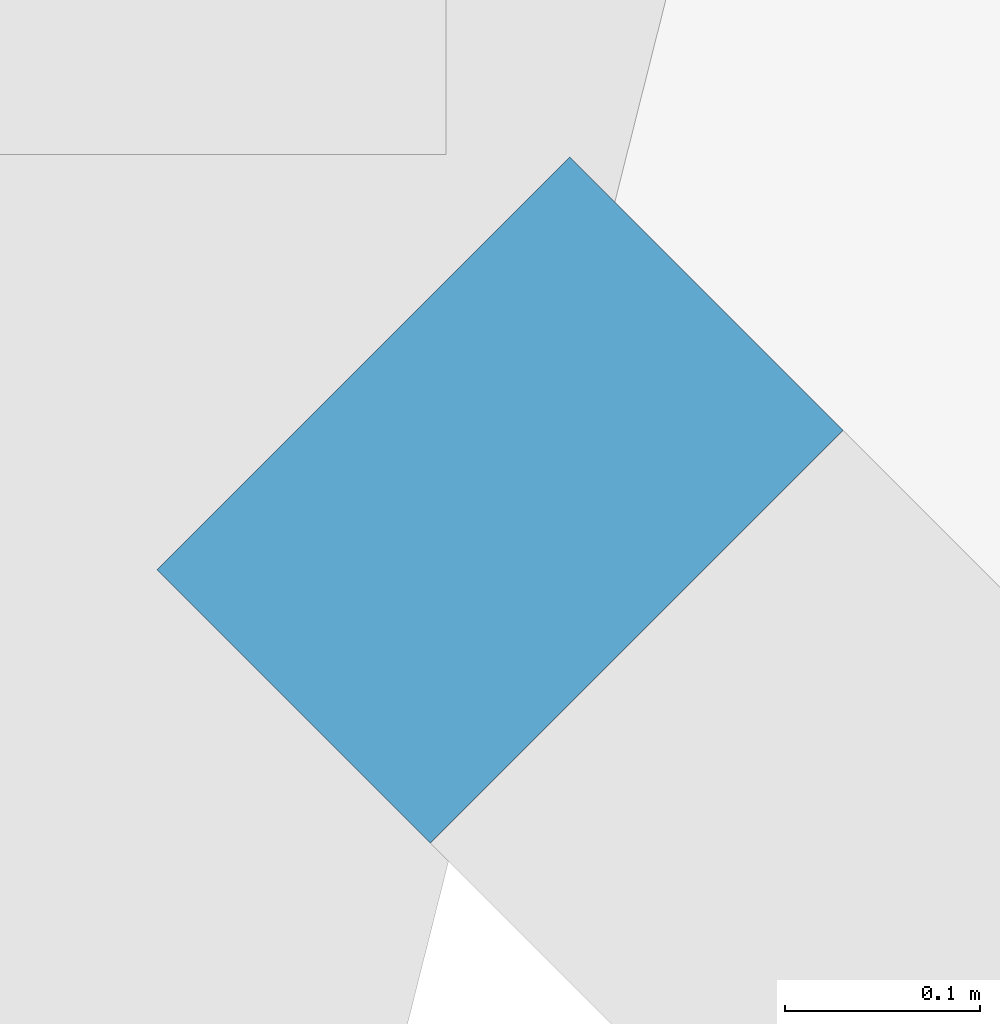
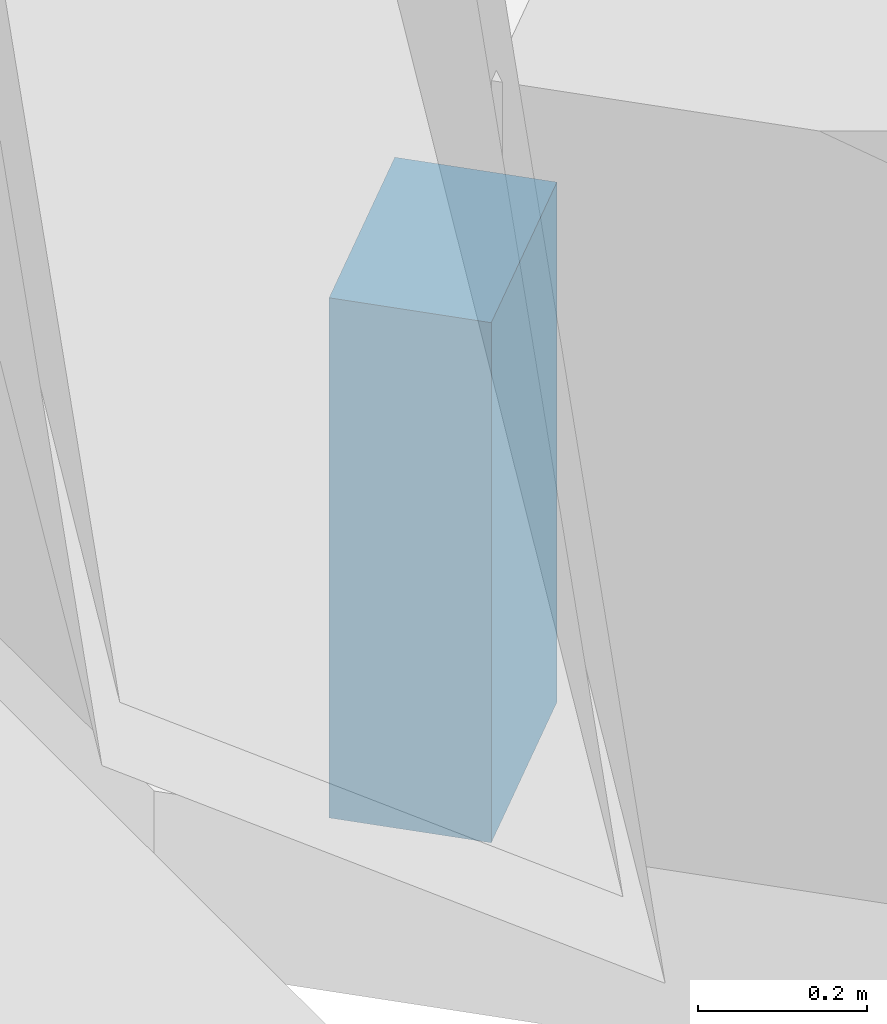
# One storey, part 15 of 20: 1 wall.
"""IFC4 building model written with IfcOpenShell, lengths in metres."""

from ifc_helpers import new_model, si_unit, direction, frame, frame_2d, origin, place, context, subcontext, project, spatial, rectangle, extrude, material, layer, layer_set, type_object, element, save


model = new_model("IFC4")

# Units and contexts
model_context = context("Model", 3, precision=1e-05, world=origin(), true_north=direction((0.0, 1.0)))
body_context = subcontext(model_context, "Body", "Model", "MODEL_VIEW")
ifc_project = project(units=[si_unit("LENGTHUNIT", "METRE"), si_unit("AREAUNIT", "SQUARE_METRE"), si_unit("VOLUMEUNIT", "CUBIC_METRE"), si_unit("PLANEANGLEUNIT", "RADIAN"), si_unit("MASSUNIT", "GRAM", prefix="KILO")], contexts=[model_context])

# Site, building, storey
site_placement = place(None, origin())
site = spatial("IfcSite", under=ifc_project, at=site_placement, CompositionType="ELEMENT")
building_placement = place(site_placement, origin())
building = spatial("IfcBuilding", under=site, at=building_placement, Name="Tuart Gate Housing", CompositionType="ELEMENT")
storey_placement = place(building_placement, frame((0.0, 0.0, 167.10009765625)))
storey = spatial("IfcBuildingStorey", under=building, at=storey_placement, Name="L47", CompositionType="ELEMENT", Elevation=167.10009765625)

# Wall
ifc_material = material(Name="Brick", Category="masonry")
ifc_layer = layer(ifc_material, 0.300048828125)
ifc_layer_set = layer_set([ifc_layer], Name="Brick parapet wall 300")
wall_type = type_object("IfcWallType", Name="Brick parapet wall 300", PredefinedType="PARAPET", material=ifc_layer_set)
wall_placement = place(storey_placement, frame((28.757568359375, 56.95458984375, 0.0), z_axis=(0.0, 0.0, 1.0), x_axis=(0.707106781187, -0.707106781187, 0.0)))
element("IfcWall", 1, at=wall_placement, inside=storey, type_object=wall_type, Name="Roof parapet A 4", PredefinedType="PARAPET", context=body_context, shape_type="SweptSolid", body=[
    extrude(rectangle(XDim=0.198486328125, YDim=0.300048828125, at=frame_2d((0.09912109375, 0.0))), origin(), (0.0, 0.0, 1.0), 0.75048828125),
])

save(model, "model.ifc")
